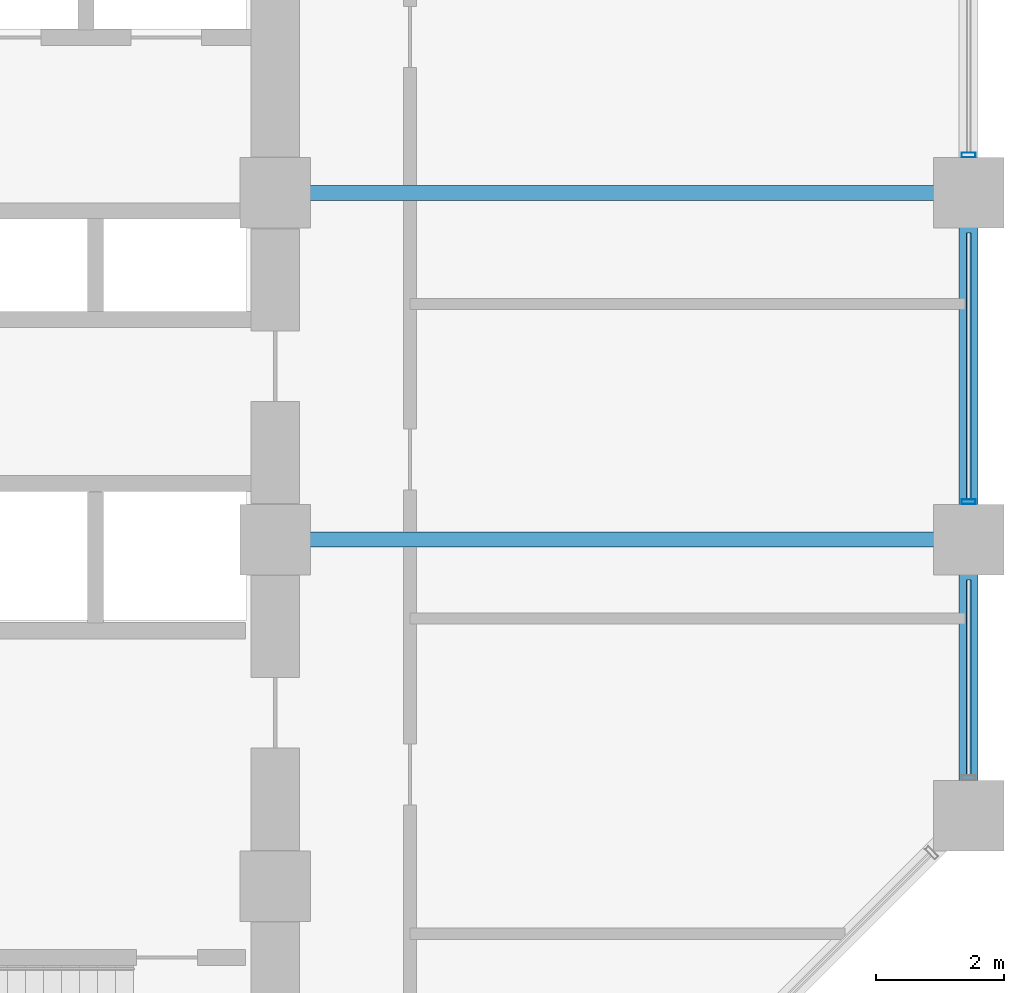
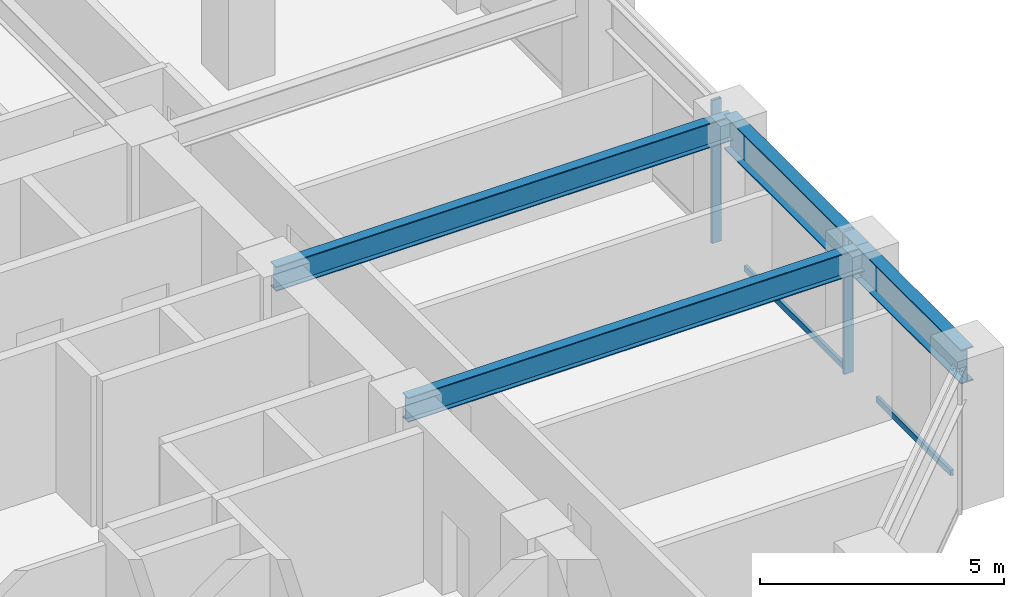
# One storey, part 9 of 25: 4 beams, 4 members, 1 element without a shape of its own.
"""IFC4 building model written with IfcOpenShell, lengths in metres."""

from ifc_helpers import new_model, si_unit, direction, frame, origin, origin_2d, place, context, subcontext, project, spatial, hollow_rectangle, i_section, extrude, material, layer, layer_set, material_profile, profile_set, type_object, element, aggregate, save


model = new_model("IFC4")

# Units and contexts
model_context = context("Model", 3, precision=1e-05, world=origin(), true_north=direction((0.0, 1.0)))
body_context = subcontext(model_context, "Body", "Model", "MODEL_VIEW")
ifc_project = project(units=[si_unit("LENGTHUNIT", "METRE"), si_unit("AREAUNIT", "SQUARE_METRE"), si_unit("VOLUMEUNIT", "CUBIC_METRE"), si_unit("PLANEANGLEUNIT", "RADIAN"), si_unit("MASSUNIT", "GRAM", prefix="KILO")], contexts=[model_context])

# Site, building, storey
site_placement = place(None, origin())
site = spatial("IfcSite", under=ifc_project, at=site_placement, CompositionType="ELEMENT")
building_placement = place(site_placement, origin())
building = spatial("IfcBuilding", under=site, at=building_placement, Name="Surkhivell Harbour Commons", CompositionType="ELEMENT")
storey_placement = place(building_placement, frame((0.0, 0.0, 109.5)))
storey = spatial("IfcBuildingStorey", under=building, at=storey_placement, Name="L28", CompositionType="ELEMENT", Elevation=109.5)

# Beams
ifc_material_1 = material(Name="Steel S355", Category="steel")
ifc_material_profile_1 = material_profile(ifc_material_1, i_section(OverallWidth=0.22998046875, OverallDepth=0.616943359375, WebThickness=0.01318359375, FlangeThickness=0.022216796875, at=origin_2d()), Name="UB610x229x140")
ifc_profile_set_1 = profile_set([ifc_material_profile_1], Name="Steel S355")
beam_type_1 = type_object("IfcBeamType", Name="BM-GRD-610B", PredefinedType="BEAM", material=ifc_profile_set_1)
for number, where, z_axis, x_axis, name in (
    (1, (10.800048828125, 0.0, 3.261474609375), (1.0, 0.0, 0.0), (0.0, 1.0, 0.0), "L28 Floor Girder (10.8,0.0)"),
    (2, (10.800048828125, 5.39990234375, 3.261474609375), (1.0, 0.0, 0.0), (0.0, 1.0, 0.0), "L28 Floor Girder (10.8,5.4)"),
):
    element("IfcBeam", number, at=place(storey_placement, frame(where, z_axis=z_axis, x_axis=x_axis)), inside=storey, type_object=beam_type_1, Name=name, PredefinedType="BEAM", context=body_context, shape_type="SweptSolid", body=[
        extrude(i_section(OverallWidth=0.22998046875, OverallDepth=0.616943359375, WebThickness=0.01318359375, FlangeThickness=0.022216796875, at=origin_2d()), origin(), (0.0, 0.0, 1.0), 10.800048828125),
    ])
ifc_material_2 = material(Name="Steel S460", Category="steel")
ifc_material_profile_2 = material_profile(ifc_material_2, i_section(OverallWidth=0.2939453125, OverallDepth=0.85107421875, WebThickness=0.01611328125, FlangeThickness=0.02685546875, at=origin_2d()), Name="UB838x292x226")
ifc_profile_set_2 = profile_set([ifc_material_profile_2], Name="Steel S460")
beam_type_2 = type_object("IfcBeamType", Name="BM-SPN-838", PredefinedType="SPANDREL", material=ifc_profile_set_2)
beam_1_placement = place(storey_placement, frame((21.60009765625, -4.300048828125, 3.14453125), z_axis=(0.0, 1.0, 0.0), x_axis=(-1.0, 0.0, 0.0)))
element("IfcBeam", 3, at=beam_1_placement, inside=storey, type_object=beam_type_2, Name="L28 Tube Spandrel (21.6,-4.3)", PredefinedType="SPANDREL", context=body_context, shape_type="SweptSolid", body=[
    extrude(i_section(OverallWidth=0.2939453125, OverallDepth=0.85107421875, WebThickness=0.01611328125, FlangeThickness=0.02685546875, at=origin_2d()), origin(), (0.0, 0.0, 1.0), 4.300048828125),
])
beam_2_placement = place(storey_placement, frame((21.60009765625, 0.0, 3.14453125), z_axis=(0.0, 1.0, 0.0), x_axis=(-1.0, 0.0, 0.0)))
element("IfcBeam", 4, at=beam_2_placement, inside=storey, type_object=beam_type_2, Name="L28 Tube Spandrel (21.6,0.0)", PredefinedType="SPANDREL", context=body_context, shape_type="SweptSolid", body=[
    extrude(i_section(OverallWidth=0.2939453125, OverallDepth=0.85107421875, WebThickness=0.01611328125, FlangeThickness=0.02685546875, at=origin_2d()), origin(), (0.0, 0.0, 1.0), 5.39990234375),
])

# Curtain wall, members
ifc_material_3 = material(Name="Anodised pale-metal aluminium and insulated glazing", Category="aluminium")
ifc_layer = layer(ifc_material_3, 0.205078125)
ifc_layer_set = layer_set([ifc_layer], Name="Anodised pale-metal aluminium and insulated glazing")
curtain_wall_type = type_object("IfcCurtainWallType", Name="CW-SYS-Z2", PredefinedType="NOTDEFINED", material=ifc_layer_set)
curtain_wall_placement = place(storey_placement, origin())
curtain_wall = element("IfcCurtainWall", 5, at=curtain_wall_placement, inside=storey, type_object=curtain_wall_type, Name="L28 Curtain Wall CW-L28-E02", PredefinedType="NOTDEFINED")
ifc_material_4 = material(Name="Anodised pale-metal aluminium alloy 6063-T6", Category="aluminium")
ifc_material_profile_3 = material_profile(ifc_material_4, hollow_rectangle(XDim=0.074951171875, YDim=0.219970703125, WallThickness=0.00390625, at=origin_2d()), Name="ALU-MULL-75x220")
ifc_profile_set_3 = profile_set([ifc_material_profile_3], Name="Anodised pale-metal aluminium alloy 6063-T6")
member_type_1 = type_object("IfcMemberType", Name="CWM-220", PredefinedType="MULLION", material=ifc_profile_set_3)
member_1_placement = place(storey_placement, frame((21.60009765625, 0.589599609375, 0.0), z_axis=(0.0, 0.0, 1.0), x_axis=(0.0, 1.0, 0.0)))
member_1 = element("IfcMember", 6, at=member_1_placement, type_object=member_type_1, Name="CW-Z2 mullion 2", PredefinedType="MULLION", context=body_context, shape_type="SweptSolid", body=[
    extrude(hollow_rectangle(XDim=0.074951171875, YDim=0.219970703125, WallThickness=0.00390625, at=origin_2d()), origin(), (0.0, 0.0, 1.0), 3.570068359375),
])
member_2_placement = place(storey_placement, frame((21.60009765625, 5.989501953125, 0.0), z_axis=(0.0, 0.0, 1.0), x_axis=(0.0, 1.0, 0.0)))
member_2 = element("IfcMember", 7, at=member_2_placement, type_object=member_type_1, Name="CW-Z2 mullion 3", PredefinedType="MULLION", context=body_context, shape_type="SweptSolid", body=[
    extrude(hollow_rectangle(XDim=0.074951171875, YDim=0.219970703125, WallThickness=0.00390625, at=origin_2d()), origin(), (0.0, 0.0, 1.0), 3.570068359375),
])
ifc_material_profile_4 = material_profile(ifc_material_4, hollow_rectangle(XDim=0.074951171875, YDim=0.14990234375, WallThickness=0.00341796875, at=origin_2d()), Name="ALU-TRAN-75x150")
ifc_profile_set_4 = profile_set([ifc_material_profile_4], Name="Anodised pale-metal aluminium alloy 6063-T6")
member_type_2 = type_object("IfcMemberType", Name="CWT-150", PredefinedType="USERDEFINED", material=ifc_profile_set_4)
member_3_placement = place(storey_placement, frame((21.60009765625, -3.673095703125, 0.074951171875), z_axis=(0.0, 1.0, 0.0), x_axis=(-1.0, 0.0, 0.0)))
member_3 = element("IfcMember", 8, at=member_3_placement, type_object=member_type_2, Name="CW-Z2 transom 1.1", ObjectType="TRANSOM", PredefinedType="USERDEFINED", context=body_context, shape_type="SweptSolid", body=[
    extrude(hollow_rectangle(XDim=0.074951171875, YDim=0.14990234375, WallThickness=0.00341796875, at=origin_2d()), origin(), (0.0, 0.0, 1.0), 3.046142578125),
])
member_4_placement = place(storey_placement, frame((21.60009765625, 0.626953125, 0.074951171875), z_axis=(0.0, 1.0, 0.0), x_axis=(-1.0, 0.0, 0.0)))
member_4 = element("IfcMember", 9, at=member_4_placement, type_object=member_type_2, Name="CW-Z2 transom 2.1", ObjectType="TRANSOM", PredefinedType="USERDEFINED", context=body_context, shape_type="SweptSolid", body=[
    extrude(hollow_rectangle(XDim=0.074951171875, YDim=0.14990234375, WallThickness=0.00341796875, at=origin_2d()), origin(), (0.0, 0.0, 1.0), 4.14599609375),
])
aggregate(curtain_wall, [member_3, member_1, member_4, member_2])

save(model, "model.ifc")
